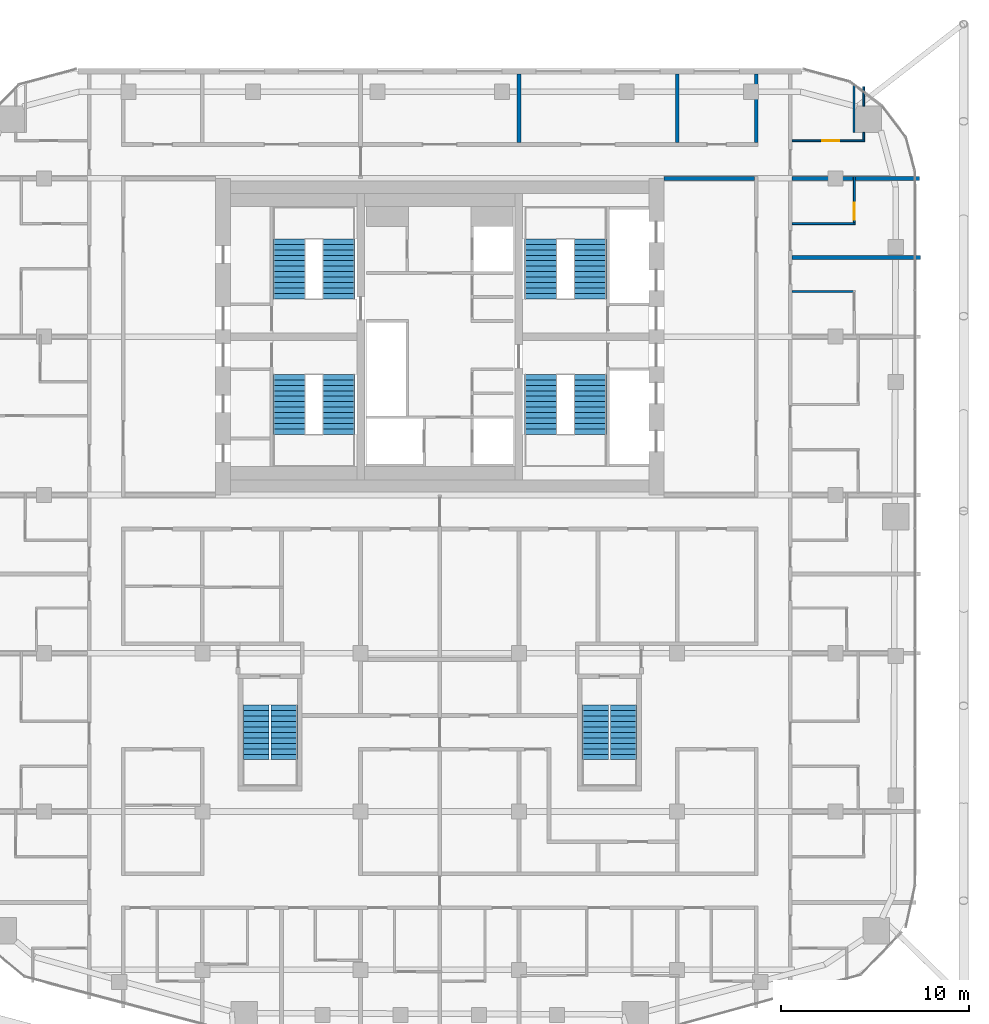
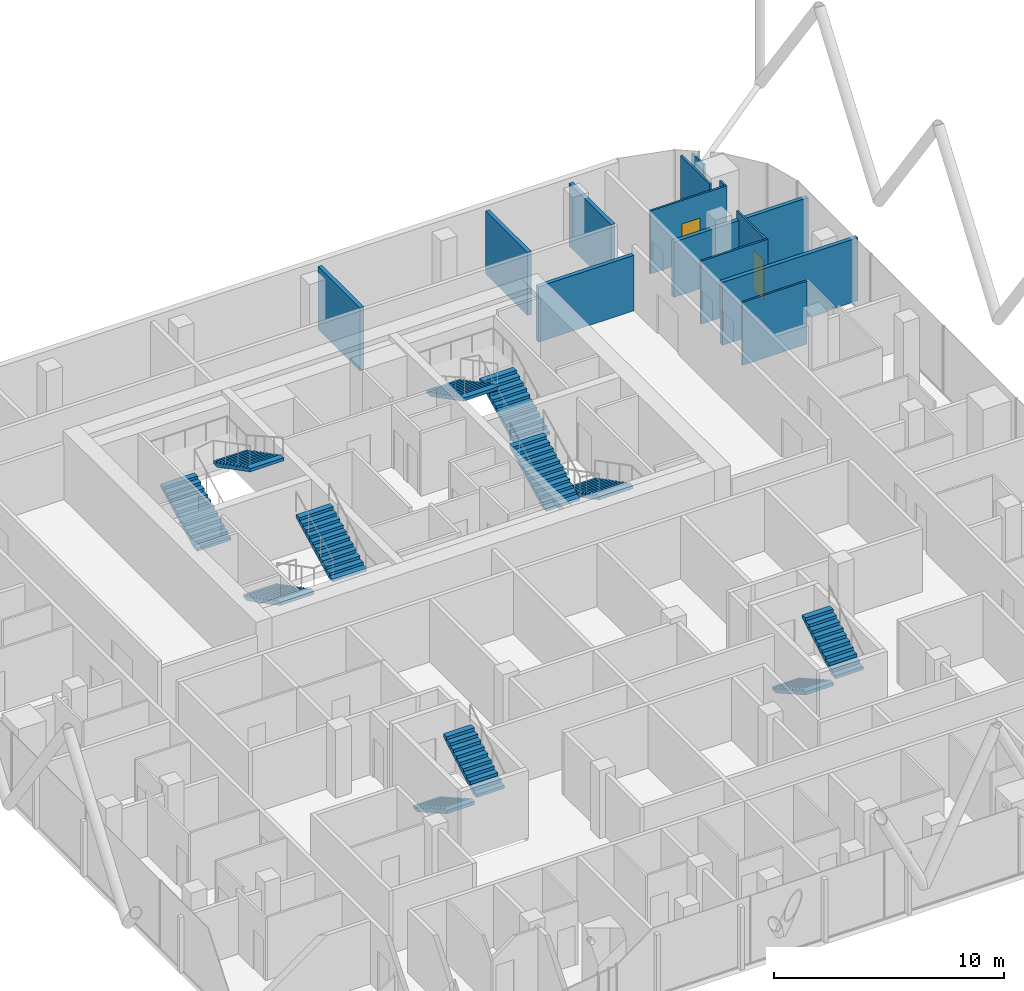
# One storey, part 27 of 28: 13 walls, 12 stair flights, 2 doors, 2 openings, 6 elements without a shape of their own.
"""IFC4 building model written with IfcOpenShell, lengths in metres."""

from ifc_helpers import new_model, si_unit, direction, frame, frame_2d, origin, place, context, subcontext, project, spatial, polyline, rectangle, outline, extrude, material, layer, layer_set, type_object, element, fill, aggregate, save


model = new_model("IFC4")

# Units and contexts
model_context = context("Model", 3, precision=1e-05, world=origin(), true_north=direction((0.0, 1.0)))
body_context = subcontext(model_context, "Body", "Model", "MODEL_VIEW")
ifc_project = project(units=[si_unit("LENGTHUNIT", "METRE"), si_unit("AREAUNIT", "SQUARE_METRE"), si_unit("VOLUMEUNIT", "CUBIC_METRE"), si_unit("PLANEANGLEUNIT", "RADIAN"), si_unit("MASSUNIT", "GRAM", prefix="KILO")], contexts=[model_context])

# Site, building, storey
site_placement = place(None, origin())
site = spatial("IfcSite", under=ifc_project, at=site_placement, CompositionType="ELEMENT")
building_placement = place(site_placement, origin())
building = spatial("IfcBuilding", under=site, at=building_placement, Name="Marenta Gate Hotel Tower", CompositionType="ELEMENT")
storey_placement = place(building_placement, frame((0.0, 0.0, 212.89990234375)))
storey = spatial("IfcBuildingStorey", under=building, at=storey_placement, Name="L49", CompositionType="ELEMENT", Elevation=212.89990234375)

# Walls
ifc_material_1 = material(Name="Concrete blockwork", Category="masonry")
ifc_layer_1 = layer(ifc_material_1, 0.199951171875)
ifc_layer_set_1 = layer_set([ifc_layer_1], Name="Concrete blockwork")
wall_type_1 = type_object("IfcWallType", Name="Core boundary wall 200 REI 180", PredefinedType="PARTITIONING", material=ifc_layer_set_1)
wall_1_placement = place(storey_placement, frame((11.89990234375, 16.800048828125, 0.0), z_axis=(0.0, 0.0, 1.0), x_axis=(1.0, 0.0, 0.0)))
element("IfcWall", 1, at=wall_1_placement, inside=storey, type_object=wall_type_1, Name="L49-CP-EW-EN", PredefinedType="PARTITIONING", context=body_context, shape_type="SweptSolid", body=[
    extrude(rectangle(XDim=4.800048828125, YDim=0.199951171875, at=frame_2d((2.39990234375, 0.0))), origin(), (0.0, 0.0, 1.0), 2.940185546875),
])
ifc_material_2 = material(Name="Gypsum board on steel stud", Category="steel")
ifc_layer_2 = layer(ifc_material_2, 0.199951171875)
ifc_layer_set_2 = layer_set([ifc_layer_2], Name="Gypsum board on steel stud")
wall_type_2 = type_object("IfcWallType", Name="Room corridor wall 200 EI 60", PredefinedType="PARTITIONING", material=ifc_layer_set_2)
wall_2_placement = place(storey_placement, frame((16.800048828125, 18.699951171875, 0.0), z_axis=(0.0, 0.0, 1.0), x_axis=(0.0, 1.0, 0.0)))
element("IfcWall", 2, at=wall_2_placement, inside=storey, type_object=wall_type_2, Name="L49-PTN-W034", PredefinedType="PARTITIONING", context=body_context, shape_type="SweptSolid", body=[
    extrude(rectangle(XDim=3.64013671875, YDim=0.199951171875, at=frame_2d((1.820068359375, 0.0))), origin(), (0.0, 0.0, 1.0), 3.340087890625),
])
ifc_material_3 = material(Name="Gypsum board on steel stud", Category="steel")
ifc_layer_3 = layer(ifc_material_3, 0.10009765625)
ifc_layer_set_3 = layer_set([ifc_layer_3], Name="Gypsum board on steel stud")
wall_type_3 = type_object("IfcWallType", Name="Room partition 100", PredefinedType="PARTITIONING", material=ifc_layer_set_3)
wall_3_placement = place(storey_placement, frame((22.5, 18.85009765625, 0.0), z_axis=(0.0, 0.0, 1.0), x_axis=(0.0, 1.0, 0.0)))
element("IfcWall", 3, at=wall_3_placement, inside=storey, type_object=wall_type_3, Name="L49-PTN-W012", PredefinedType="PARTITIONING", context=body_context, shape_type="SweptSolid", body=[
    extrude(rectangle(XDim=0.385986328125, YDim=0.10009765625, at=frame_2d((0.19287109375, 0.0))), origin(), (0.0, 0.0, 1.0), 3.340087890625),
])
wall_4_placement = place(storey_placement, frame((22.5, 20.635986328125, 0.0), z_axis=(0.0, 0.0, 1.0), x_axis=(0.0, 1.0, 0.0)))
element("IfcWall", 4, at=wall_4_placement, inside=storey, type_object=wall_type_3, Name="L49-PTN-W132", PredefinedType="PARTITIONING", context=body_context, shape_type="SweptSolid", body=[
    extrude(rectangle(XDim=1.030029296875, YDim=0.10009765625, at=frame_2d((0.51513671875, 0.0))), origin(), (0.0, 0.0, 1.0), 3.340087890625),
])

# Wall, opening, door
wall_5_placement = place(storey_placement, frame((22.0, 14.449951171875, 0.0), z_axis=(0.0, 0.0, 1.0), x_axis=(0.0, 1.0, 0.0)))
wall_5 = element("IfcWall", 5, at=wall_5_placement, inside=storey, type_object=wall_type_3, Name="L49-PTN-W018", PredefinedType="PARTITIONING", context=body_context, shape_type="SweptSolid", body=[
    extrude(rectangle(XDim=2.449951171875, YDim=0.10009765625, at=frame_2d((1.22509765625, 0.0))), origin(), (0.0, 0.0, 1.0), 3.340087890625),
])
opening_1_placement = place(wall_5_placement, frame((0.14990234375, 0.0, 0.0)))
opening_1 = element("IfcOpeningElement", 6, at=opening_1_placement, cuts=wall_5, Name="Opening G17-33", PredefinedType="OPENING", context=body_context, shape_type="SweptSolid", body=[
    extrude(rectangle(XDim=0.89990234375, YDim=2.10009765625, at=frame_2d((0.449951171875, 1.050048828125))), frame((0.0, 0.050048828125, 0.0), z_axis=(0.0, -1.0, 0.0), x_axis=(1.0, 0.0, 0.0)), (0.0, 0.0, 1.0), 0.10009765625),
])
ifc_material_4 = material(Name="Timber door leaf", Category="wood")
door_type = type_object("IfcDoorType", Name="Guest bathroom door 900x2100", OperationType="NOTDEFINED", PredefinedType="DOOR", material=ifc_material_4)
door_1_placement = place(opening_1_placement, origin())
door_1 = element("IfcDoor", 7, at=door_1_placement, inside=storey, type_object=door_type, Name="L49-PD-D033", OperationType="SINGLE_SWING_LEFT", OverallHeight=2.10009765625, OverallWidth=0.89990234375, PredefinedType="DOOR", context=body_context, shape_type="SweptSolid", body=[
    extrude(rectangle(XDim=0.89990234375, YDim=2.10009765625, at=frame_2d((0.449951171875, 1.050048828125))), frame((0.0, 0.02490234375, 0.0), z_axis=(0.0, -1.0, 0.0), x_axis=(1.0, 0.0, 0.0)), (0.0, 0.0, 1.0), 0.050048828125),
])
fill(opening_1, door_1)

# Walls
wall_6_placement = place(storey_placement, frame((18.699951171875, 10.800048828125, 0.0), z_axis=(0.0, 0.0, 1.0), x_axis=(1.0, 0.0, 0.0)))
element("IfcWall", 8, at=wall_6_placement, inside=storey, type_object=wall_type_3, Name="L49-PTN-W102", PredefinedType="PARTITIONING", context=body_context, shape_type="SweptSolid", body=[
    extrude(rectangle(XDim=3.25, YDim=0.10009765625, at=frame_2d((1.625, 0.0))), origin(), (0.0, 0.0, 1.0), 3.340087890625),
])
wall_7_placement = place(storey_placement, frame((18.699951171875, 14.39990234375, 0.0), z_axis=(0.0, 0.0, 1.0), x_axis=(1.0, 0.0, 0.0)))
element("IfcWall", 9, at=wall_7_placement, inside=storey, type_object=wall_type_3, Name="L49-PTN-W110", PredefinedType="PARTITIONING", context=body_context, shape_type="SweptSolid", body=[
    extrude(rectangle(XDim=3.35009765625, YDim=0.10009765625, at=frame_2d((1.675048828125, 0.0))), origin(), (0.0, 0.0, 1.0), 3.340087890625),
])

# Wall, opening, door
wall_8_placement = place(storey_placement, frame((18.699951171875, 18.800048828125, 0.0), z_axis=(0.0, 0.0, 1.0), x_axis=(1.0, 0.0, 0.0)))
wall_8 = element("IfcWall", 10, at=wall_8_placement, inside=storey, type_object=wall_type_3, Name="L49-PTN-W121", PredefinedType="PARTITIONING", context=body_context, shape_type="SweptSolid", body=[
    extrude(rectangle(XDim=3.85009765625, YDim=0.10009765625, at=frame_2d((1.925048828125, 0.0))), origin(), (0.0, 0.0, 1.0), 3.340087890625),
])
opening_2_placement = place(wall_8_placement, frame((1.594970703125, 0.0, 0.0)))
opening_2 = element("IfcOpeningElement", 11, at=opening_2_placement, cuts=wall_8, Name="Opening G17-35", PredefinedType="OPENING", context=body_context, shape_type="SweptSolid", body=[
    extrude(rectangle(XDim=0.89990234375, YDim=2.10009765625, at=frame_2d((0.449951171875, 1.050048828125))), frame((0.0, 0.050048828125, 0.0), z_axis=(0.0, -1.0, 0.0), x_axis=(1.0, 0.0, 0.0)), (0.0, 0.0, 1.0), 0.10009765625),
])
door_2_placement = place(opening_2_placement, origin())
door_2 = element("IfcDoor", 12, at=door_2_placement, inside=storey, type_object=door_type, Name="L49-PD-D035", OperationType="SINGLE_SWING_RIGHT", OverallHeight=2.10009765625, OverallWidth=0.89990234375, PredefinedType="DOOR", context=body_context, shape_type="SweptSolid", body=[
    extrude(rectangle(XDim=0.89990234375, YDim=2.10009765625, at=frame_2d((0.449951171875, 1.050048828125))), frame((0.0, 0.02490234375, 0.0), z_axis=(0.0, -1.0, 0.0), x_axis=(1.0, 0.0, 0.0)), (0.0, 0.0, 1.0), 0.050048828125),
])
fill(opening_2, door_2)

# Walls
wall_9_placement = place(storey_placement, frame((21.985107421875, 19.236083984375, 0.0), z_axis=(0.0, 0.0, 1.0), x_axis=(0.0, 1.0, 0.0)))
element("IfcWall", 13, at=wall_9_placement, inside=storey, type_object=wall_type_3, Name="L49-PTN-W134", PredefinedType="PARTITIONING", context=body_context, shape_type="SweptSolid", body=[
    extrude(rectangle(XDim=2.512939453125, YDim=0.10009765625, at=frame_2d((1.25634765625, 0.0))), origin(), (0.0, 0.0, 1.0), 3.340087890625),
])
ifc_material_5 = material(Name="Gypsum board on steel stud", Category="steel")
ifc_layer_4 = layer(ifc_material_5, 0.199951171875)
ifc_layer_set_4 = layer_set([ifc_layer_4], Name="Gypsum board on steel stud")
wall_type_4 = type_object("IfcWallType", Name="Room party wall 200 EI 60", PredefinedType="PARTITIONING", material=ifc_layer_set_4)
for number, where, z_axis, x_axis, name in (
    (14, (12.60009765625, 18.699951171875, 0.0), (0.0, 0.0, 1.0), (0.0, 1.0, 0.0), "L49-PTN-W047"),
    (15, (4.199951171875, 18.699951171875, 0.0), (0.0, 0.0, 1.0), (0.0, 1.0, 0.0), "L49-PTN-W073"),
):
    element("IfcWall", number, at=place(storey_placement, frame(where, z_axis=z_axis, x_axis=x_axis)), inside=storey, type_object=wall_type_4, Name=name, PredefinedType="PARTITIONING", context=body_context, shape_type="SweptSolid", body=[
        extrude(rectangle(XDim=3.64013671875, YDim=0.199951171875, at=frame_2d((1.820068359375, 0.0))), origin(), (0.0, 0.0, 1.0), 3.340087890625),
    ])
wall_10_placement = place(storey_placement, frame((18.699951171875, 12.60009765625, 0.0), z_axis=(0.0, 0.0, 1.0), x_axis=(1.0, 0.0, 0.0)))
element("IfcWall", 16, at=wall_10_placement, inside=storey, type_object=wall_type_4, Name="L49-PTN-W108", PredefinedType="PARTITIONING", context=body_context, shape_type="SweptSolid", body=[
    extrude(rectangle(XDim=6.800048828125, YDim=0.199951171875, at=frame_2d((3.39990234375, 0.0))), origin(), (0.0, 0.0, 1.0), 3.340087890625),
])
wall_11_placement = place(storey_placement, frame((18.699951171875, 16.800048828125, 0.0), z_axis=(0.0, 0.0, 1.0), x_axis=(1.0, 0.0, 0.0)))
element("IfcWall", 17, at=wall_11_placement, inside=storey, type_object=wall_type_4, Name="L49-PTN-W117", PredefinedType="PARTITIONING", context=body_context, shape_type="SweptSolid", body=[
    extrude(rectangle(XDim=6.7470703125, YDim=0.199951171875, at=frame_2d((3.37353515625, 0.0))), origin(), (0.0, 0.0, 1.0), 2.940185546875),
])

# Stair, stair flights
ifc_material_6 = material(Name="Concrete C40", Category="concrete")
stair_type_1 = type_object("IfcStairType", Name="Core exit stair 1700 wide", PredefinedType="HALF_TURN_STAIR", material=ifc_material_6)
stair_1_placement = place(storey_placement, origin())
stair_1 = element("IfcStair", 18, at=stair_1_placement, inside=storey, type_object=stair_type_1, Name="Exit stair 1", PredefinedType="HALF_TURN_STAIR")
ifc_material_7 = material(Name="Concrete C40", Category="concrete")
stair_flight_type_1 = type_object("IfcStairFlightType", Name="Core stair flight 1700 riser 150.0 going 290", PredefinedType="STRAIGHT", material=ifc_material_7)
stair_flight_1_placement = place(storey_placement, frame((-8.0, 6.39990234375, 0.0), z_axis=(0.0, 0.0, 1.0), x_axis=(0.0, -1.0, 0.0)))
stair_flight_1 = element("IfcStairFlight", 19, at=stair_flight_1_placement, type_object=stair_flight_type_1, Name="ST1 flight 1", NumberOfRisers=12, NumberOfTreads=11, PredefinedType="STRAIGHT", RiserHeight=0.15, TreadLength=0.29, context=body_context, shape_type="SweptSolid", body=[
    extrude(outline(polyline([(0.0, 0.0), (0.0, 0.14990234375), (0.2900390625, 0.14990234375), (0.2900390625, 0.300048828125), (0.580078125, 0.300048828125), (0.580078125, 0.449951171875), (0.8701171875, 0.449951171875), (0.8701171875, 0.60009765625), (1.159912109375, 0.60009765625), (1.159912109375, 0.75), (1.449951171875, 0.75), (1.449951171875, 0.89990234375), (1.739990234375, 0.89990234375), (1.739990234375, 1.050048828125), (2.030029296875, 1.050048828125), (2.030029296875, 1.199951171875), (2.320068359375, 1.199951171875), (2.320068359375, 1.35009765625), (2.610107421875, 1.35009765625), (2.610107421875, 1.5), (2.89990234375, 1.5), (2.89990234375, 1.64990234375), (3.18994140625, 1.64990234375), (3.18994140625, 1.800048828125), (3.18994140625, 1.481201171875), (0.326171875, 0.0), (0.0, 0.0)])), frame((0.0, 0.85009765625, 0.0), z_axis=(0.0, -1.0, 0.0), x_axis=(1.0, 0.0, 0.0)), (0.0, 0.0, 1.0), 1.699951171875),
])
stair_flight_2_placement = place(storey_placement, frame((-5.35009765625, 3.2099609375, 1.800048828125), z_axis=(0.0, 0.0, 1.0), x_axis=(0.0, 1.0, 0.0)))
stair_flight_2 = element("IfcStairFlight", 20, at=stair_flight_2_placement, type_object=stair_flight_type_1, Name="ST1 flight 2", NumberOfRisers=12, NumberOfTreads=11, PredefinedType="STRAIGHT", RiserHeight=0.15, TreadLength=0.29, context=body_context, shape_type="SweptSolid", body=[
    extrude(outline(polyline([(0.0, 0.0), (0.0, 0.14990234375), (0.2900390625, 0.14990234375), (0.2900390625, 0.300048828125), (0.580078125, 0.300048828125), (0.580078125, 0.449951171875), (0.8701171875, 0.449951171875), (0.8701171875, 0.60009765625), (1.159912109375, 0.60009765625), (1.159912109375, 0.75), (1.449951171875, 0.75), (1.449951171875, 0.89990234375), (1.739990234375, 0.89990234375), (1.739990234375, 1.050048828125), (2.030029296875, 1.050048828125), (2.030029296875, 1.199951171875), (2.320068359375, 1.199951171875), (2.320068359375, 1.35009765625), (2.610107421875, 1.35009765625), (2.610107421875, 1.5), (2.89990234375, 1.5), (2.89990234375, 1.64990234375), (3.18994140625, 1.64990234375), (3.18994140625, 1.800048828125), (3.18994140625, 1.481201171875), (0.326171875, 0.0), (0.0, 0.0)])), frame((0.0, 0.85009765625, 0.0), z_axis=(0.0, -1.0, 0.0), x_axis=(1.0, 0.0, 0.0)), (0.0, 0.0, 1.0), 1.699951171875),
])
aggregate(stair_1, [stair_flight_1, stair_flight_2])

stair_2_placement = place(storey_placement, origin())
stair_2 = element("IfcStair", 21, at=stair_2_placement, inside=storey, type_object=stair_type_1, Name="Exit stair 2", PredefinedType="HALF_TURN_STAIR")
stair_flight_3_placement = place(storey_placement, frame((-8.0, 10.39990234375, 0.0), z_axis=(0.0, 0.0, 1.0), x_axis=(0.0, 1.0, 0.0)))
stair_flight_3 = element("IfcStairFlight", 22, at=stair_flight_3_placement, type_object=stair_flight_type_1, Name="ST2 flight 1", NumberOfRisers=12, NumberOfTreads=11, PredefinedType="STRAIGHT", RiserHeight=0.15, TreadLength=0.29, context=body_context, shape_type="SweptSolid", body=[
    extrude(outline(polyline([(0.0, 0.0), (0.0, 0.14990234375), (0.2900390625, 0.14990234375), (0.2900390625, 0.300048828125), (0.580078125, 0.300048828125), (0.580078125, 0.449951171875), (0.8701171875, 0.449951171875), (0.8701171875, 0.60009765625), (1.159912109375, 0.60009765625), (1.159912109375, 0.75), (1.449951171875, 0.75), (1.449951171875, 0.89990234375), (1.739990234375, 0.89990234375), (1.739990234375, 1.050048828125), (2.030029296875, 1.050048828125), (2.030029296875, 1.199951171875), (2.320068359375, 1.199951171875), (2.320068359375, 1.35009765625), (2.610107421875, 1.35009765625), (2.610107421875, 1.5), (2.89990234375, 1.5), (2.89990234375, 1.64990234375), (3.18994140625, 1.64990234375), (3.18994140625, 1.800048828125), (3.18994140625, 1.481201171875), (0.326171875, 0.0), (0.0, 0.0)])), frame((0.0, 0.85009765625, 0.0), z_axis=(0.0, -1.0, 0.0), x_axis=(1.0, 0.0, 0.0)), (0.0, 0.0, 1.0), 1.699951171875),
])
stair_flight_4_placement = place(storey_placement, frame((-5.35009765625, 13.590087890625, 1.800048828125), z_axis=(0.0, 0.0, 1.0), x_axis=(0.0, -1.0, 0.0)))
stair_flight_4 = element("IfcStairFlight", 23, at=stair_flight_4_placement, type_object=stair_flight_type_1, Name="ST2 flight 2", NumberOfRisers=12, NumberOfTreads=11, PredefinedType="STRAIGHT", RiserHeight=0.15, TreadLength=0.29, context=body_context, shape_type="SweptSolid", body=[
    extrude(outline(polyline([(0.0, 0.0), (0.0, 0.14990234375), (0.2900390625, 0.14990234375), (0.2900390625, 0.300048828125), (0.580078125, 0.300048828125), (0.580078125, 0.449951171875), (0.8701171875, 0.449951171875), (0.8701171875, 0.60009765625), (1.159912109375, 0.60009765625), (1.159912109375, 0.75), (1.449951171875, 0.75), (1.449951171875, 0.89990234375), (1.739990234375, 0.89990234375), (1.739990234375, 1.050048828125), (2.030029296875, 1.050048828125), (2.030029296875, 1.199951171875), (2.320068359375, 1.199951171875), (2.320068359375, 1.35009765625), (2.610107421875, 1.35009765625), (2.610107421875, 1.5), (2.89990234375, 1.5), (2.89990234375, 1.64990234375), (3.18994140625, 1.64990234375), (3.18994140625, 1.800048828125), (3.18994140625, 1.481201171875), (0.326171875, 0.0), (0.0, 0.0)])), frame((0.0, 0.85009765625, 0.0), z_axis=(0.0, -1.0, 0.0), x_axis=(1.0, 0.0, 0.0)), (0.0, 0.0, 1.0), 1.699951171875),
])
aggregate(stair_2, [stair_flight_3, stair_flight_4])

stair_3_placement = place(storey_placement, origin())
stair_3 = element("IfcStair", 24, at=stair_3_placement, inside=storey, type_object=stair_type_1, Name="Exit stair 3", PredefinedType="HALF_TURN_STAIR")
stair_flight_5_placement = place(storey_placement, frame((8.0, 6.39990234375, 0.0), z_axis=(0.0, 0.0, 1.0), x_axis=(0.0, -1.0, 0.0)))
stair_flight_5 = element("IfcStairFlight", 25, at=stair_flight_5_placement, type_object=stair_flight_type_1, Name="ST3 flight 1", NumberOfRisers=12, NumberOfTreads=11, PredefinedType="STRAIGHT", RiserHeight=0.15, TreadLength=0.29, context=body_context, shape_type="SweptSolid", body=[
    extrude(outline(polyline([(0.0, 0.0), (0.0, 0.14990234375), (0.2900390625, 0.14990234375), (0.2900390625, 0.300048828125), (0.580078125, 0.300048828125), (0.580078125, 0.449951171875), (0.8701171875, 0.449951171875), (0.8701171875, 0.60009765625), (1.159912109375, 0.60009765625), (1.159912109375, 0.75), (1.449951171875, 0.75), (1.449951171875, 0.89990234375), (1.739990234375, 0.89990234375), (1.739990234375, 1.050048828125), (2.030029296875, 1.050048828125), (2.030029296875, 1.199951171875), (2.320068359375, 1.199951171875), (2.320068359375, 1.35009765625), (2.610107421875, 1.35009765625), (2.610107421875, 1.5), (2.89990234375, 1.5), (2.89990234375, 1.64990234375), (3.18994140625, 1.64990234375), (3.18994140625, 1.800048828125), (3.18994140625, 1.481201171875), (0.326171875, 0.0), (0.0, 0.0)])), frame((0.0, 0.85009765625, 0.0), z_axis=(0.0, -1.0, 0.0), x_axis=(1.0, 0.0, 0.0)), (0.0, 0.0, 1.0), 1.699951171875),
])
stair_flight_6_placement = place(storey_placement, frame((5.35009765625, 3.2099609375, 1.800048828125), z_axis=(0.0, 0.0, 1.0), x_axis=(0.0, 1.0, 0.0)))
stair_flight_6 = element("IfcStairFlight", 26, at=stair_flight_6_placement, type_object=stair_flight_type_1, Name="ST3 flight 2", NumberOfRisers=12, NumberOfTreads=11, PredefinedType="STRAIGHT", RiserHeight=0.15, TreadLength=0.29, context=body_context, shape_type="SweptSolid", body=[
    extrude(outline(polyline([(0.0, 0.0), (0.0, 0.14990234375), (0.2900390625, 0.14990234375), (0.2900390625, 0.300048828125), (0.580078125, 0.300048828125), (0.580078125, 0.449951171875), (0.8701171875, 0.449951171875), (0.8701171875, 0.60009765625), (1.159912109375, 0.60009765625), (1.159912109375, 0.75), (1.449951171875, 0.75), (1.449951171875, 0.89990234375), (1.739990234375, 0.89990234375), (1.739990234375, 1.050048828125), (2.030029296875, 1.050048828125), (2.030029296875, 1.199951171875), (2.320068359375, 1.199951171875), (2.320068359375, 1.35009765625), (2.610107421875, 1.35009765625), (2.610107421875, 1.5), (2.89990234375, 1.5), (2.89990234375, 1.64990234375), (3.18994140625, 1.64990234375), (3.18994140625, 1.800048828125), (3.18994140625, 1.481201171875), (0.326171875, 0.0), (0.0, 0.0)])), frame((0.0, 0.85009765625, 0.0), z_axis=(0.0, -1.0, 0.0), x_axis=(1.0, 0.0, 0.0)), (0.0, 0.0, 1.0), 1.699951171875),
])
aggregate(stair_3, [stair_flight_5, stair_flight_6])

stair_4_placement = place(storey_placement, origin())
stair_4 = element("IfcStair", 27, at=stair_4_placement, inside=storey, type_object=stair_type_1, Name="Exit stair 4", PredefinedType="HALF_TURN_STAIR")
stair_flight_7_placement = place(storey_placement, frame((8.0, 10.39990234375, 0.0), z_axis=(0.0, 0.0, 1.0), x_axis=(0.0, 1.0, 0.0)))
stair_flight_7 = element("IfcStairFlight", 28, at=stair_flight_7_placement, type_object=stair_flight_type_1, Name="ST4 flight 1", NumberOfRisers=12, NumberOfTreads=11, PredefinedType="STRAIGHT", RiserHeight=0.15, TreadLength=0.29, context=body_context, shape_type="SweptSolid", body=[
    extrude(outline(polyline([(0.0, 0.0), (0.0, 0.14990234375), (0.2900390625, 0.14990234375), (0.2900390625, 0.300048828125), (0.580078125, 0.300048828125), (0.580078125, 0.449951171875), (0.8701171875, 0.449951171875), (0.8701171875, 0.60009765625), (1.159912109375, 0.60009765625), (1.159912109375, 0.75), (1.449951171875, 0.75), (1.449951171875, 0.89990234375), (1.739990234375, 0.89990234375), (1.739990234375, 1.050048828125), (2.030029296875, 1.050048828125), (2.030029296875, 1.199951171875), (2.320068359375, 1.199951171875), (2.320068359375, 1.35009765625), (2.610107421875, 1.35009765625), (2.610107421875, 1.5), (2.89990234375, 1.5), (2.89990234375, 1.64990234375), (3.18994140625, 1.64990234375), (3.18994140625, 1.800048828125), (3.18994140625, 1.481201171875), (0.326171875, 0.0), (0.0, 0.0)])), frame((0.0, 0.85009765625, 0.0), z_axis=(0.0, -1.0, 0.0), x_axis=(1.0, 0.0, 0.0)), (0.0, 0.0, 1.0), 1.699951171875),
])
stair_flight_8_placement = place(storey_placement, frame((5.35009765625, 13.590087890625, 1.800048828125), z_axis=(0.0, 0.0, 1.0), x_axis=(0.0, -1.0, 0.0)))
stair_flight_8 = element("IfcStairFlight", 29, at=stair_flight_8_placement, type_object=stair_flight_type_1, Name="ST4 flight 2", NumberOfRisers=12, NumberOfTreads=11, PredefinedType="STRAIGHT", RiserHeight=0.15, TreadLength=0.29, context=body_context, shape_type="SweptSolid", body=[
    extrude(outline(polyline([(0.0, 0.0), (0.0, 0.14990234375), (0.2900390625, 0.14990234375), (0.2900390625, 0.300048828125), (0.580078125, 0.300048828125), (0.580078125, 0.449951171875), (0.8701171875, 0.449951171875), (0.8701171875, 0.60009765625), (1.159912109375, 0.60009765625), (1.159912109375, 0.75), (1.449951171875, 0.75), (1.449951171875, 0.89990234375), (1.739990234375, 0.89990234375), (1.739990234375, 1.050048828125), (2.030029296875, 1.050048828125), (2.030029296875, 1.199951171875), (2.320068359375, 1.199951171875), (2.320068359375, 1.35009765625), (2.610107421875, 1.35009765625), (2.610107421875, 1.5), (2.89990234375, 1.5), (2.89990234375, 1.64990234375), (3.18994140625, 1.64990234375), (3.18994140625, 1.800048828125), (3.18994140625, 1.481201171875), (0.326171875, 0.0), (0.0, 0.0)])), frame((0.0, 0.85009765625, 0.0), z_axis=(0.0, -1.0, 0.0), x_axis=(1.0, 0.0, 0.0)), (0.0, 0.0, 1.0), 1.699951171875),
])
aggregate(stair_4, [stair_flight_7, stair_flight_8])

ifc_material_8 = material(Name="Concrete C40", Category="concrete")
stair_type_2 = type_object("IfcStairType", Name="Remote exit stair 1400 wide", PredefinedType="HALF_TURN_STAIR", material=ifc_material_8)
stair_5_placement = place(storey_placement, origin())
stair_5 = element("IfcStair", 30, at=stair_5_placement, inside=storey, type_object=stair_type_2, Name="Exit stair RS-Z3-1", PredefinedType="HALF_TURN_STAIR")
ifc_material_9 = material(Name="Concrete C40", Category="concrete")
stair_flight_type_2 = type_object("IfcStairFlightType", Name="Remote stair flight 1400 riser 163.6 going 290", PredefinedType="STRAIGHT", material=ifc_material_9)
stair_flight_9_placement = place(storey_placement, frame((-9.75, -11.14990234375, 0.0), z_axis=(0.0, 0.0, 1.0), x_axis=(0.0, -1.0, 0.0)))
stair_flight_9 = element("IfcStairFlight", 31, at=stair_flight_9_placement, type_object=stair_flight_type_2, Name="RS-Z3-1 flight 1", NumberOfRisers=11, NumberOfTreads=10, PredefinedType="STRAIGHT", RiserHeight=0.163636, TreadLength=0.29, context=body_context, shape_type="SweptSolid", body=[
    extrude(outline(polyline([(0.0, 0.0), (0.0, 0.16357421875), (0.2900390625, 0.16357421875), (0.2900390625, 0.327392578125), (0.580078125, 0.327392578125), (0.580078125, 0.490966796875), (0.8701171875, 0.490966796875), (0.8701171875, 0.654541015625), (1.159912109375, 0.654541015625), (1.159912109375, 0.818115234375), (1.449951171875, 0.818115234375), (1.449951171875, 0.98193359375), (1.739990234375, 0.98193359375), (1.739990234375, 1.1455078125), (2.030029296875, 1.1455078125), (2.030029296875, 1.30908203125), (2.320068359375, 1.30908203125), (2.320068359375, 1.47265625), (2.610107421875, 1.47265625), (2.610107421875, 1.636474609375), (2.89990234375, 1.636474609375), (2.89990234375, 1.800048828125), (2.89990234375, 1.46435546875), (0.304931640625, 0.0), (0.0, 0.0)])), frame((0.0, 0.699951171875, 0.0), z_axis=(0.0, -1.0, 0.0), x_axis=(1.0, 0.0, 0.0)), (0.0, 0.0, 1.0), 1.39990234375),
])
stair_flight_10_placement = place(storey_placement, frame((-8.25, -14.050048828125, 1.800048828125), z_axis=(0.0, 0.0, 1.0), x_axis=(0.0, 1.0, 0.0)))
stair_flight_10 = element("IfcStairFlight", 32, at=stair_flight_10_placement, type_object=stair_flight_type_2, Name="RS-Z3-1 flight 2", NumberOfRisers=11, NumberOfTreads=10, PredefinedType="STRAIGHT", RiserHeight=0.163636, TreadLength=0.29, context=body_context, shape_type="SweptSolid", body=[
    extrude(outline(polyline([(0.0, 0.0), (0.0, 0.16357421875), (0.2900390625, 0.16357421875), (0.2900390625, 0.327392578125), (0.580078125, 0.327392578125), (0.580078125, 0.490966796875), (0.8701171875, 0.490966796875), (0.8701171875, 0.654541015625), (1.159912109375, 0.654541015625), (1.159912109375, 0.818115234375), (1.449951171875, 0.818115234375), (1.449951171875, 0.98193359375), (1.739990234375, 0.98193359375), (1.739990234375, 1.1455078125), (2.030029296875, 1.1455078125), (2.030029296875, 1.30908203125), (2.320068359375, 1.30908203125), (2.320068359375, 1.47265625), (2.610107421875, 1.47265625), (2.610107421875, 1.636474609375), (2.89990234375, 1.636474609375), (2.89990234375, 1.800048828125), (2.89990234375, 1.46435546875), (0.304931640625, 0.0), (0.0, 0.0)])), frame((0.0, 0.699951171875, 0.0), z_axis=(0.0, -1.0, 0.0), x_axis=(1.0, 0.0, 0.0)), (0.0, 0.0, 1.0), 1.39990234375),
])
aggregate(stair_5, [stair_flight_9, stair_flight_10])

stair_6_placement = place(storey_placement, origin())
stair_6 = element("IfcStair", 33, at=stair_6_placement, inside=storey, type_object=stair_type_2, Name="Exit stair RS-Z3-2", PredefinedType="HALF_TURN_STAIR")
stair_flight_11_placement = place(storey_placement, frame((8.25, -11.14990234375, 0.0), z_axis=(0.0, 0.0, 1.0), x_axis=(0.0, -1.0, 0.0)))
stair_flight_11 = element("IfcStairFlight", 34, at=stair_flight_11_placement, type_object=stair_flight_type_2, Name="RS-Z3-2 flight 1", NumberOfRisers=11, NumberOfTreads=10, PredefinedType="STRAIGHT", RiserHeight=0.163636, TreadLength=0.29, context=body_context, shape_type="SweptSolid", body=[
    extrude(outline(polyline([(0.0, 0.0), (0.0, 0.16357421875), (0.2900390625, 0.16357421875), (0.2900390625, 0.327392578125), (0.580078125, 0.327392578125), (0.580078125, 0.490966796875), (0.8701171875, 0.490966796875), (0.8701171875, 0.654541015625), (1.159912109375, 0.654541015625), (1.159912109375, 0.818115234375), (1.449951171875, 0.818115234375), (1.449951171875, 0.98193359375), (1.739990234375, 0.98193359375), (1.739990234375, 1.1455078125), (2.030029296875, 1.1455078125), (2.030029296875, 1.30908203125), (2.320068359375, 1.30908203125), (2.320068359375, 1.47265625), (2.610107421875, 1.47265625), (2.610107421875, 1.636474609375), (2.89990234375, 1.636474609375), (2.89990234375, 1.800048828125), (2.89990234375, 1.46435546875), (0.304931640625, 0.0), (0.0, 0.0)])), frame((0.0, 0.699951171875, 0.0), z_axis=(0.0, -1.0, 0.0), x_axis=(1.0, 0.0, 0.0)), (0.0, 0.0, 1.0), 1.39990234375),
])
stair_flight_12_placement = place(storey_placement, frame((9.75, -14.050048828125, 1.800048828125), z_axis=(0.0, 0.0, 1.0), x_axis=(0.0, 1.0, 0.0)))
stair_flight_12 = element("IfcStairFlight", 35, at=stair_flight_12_placement, type_object=stair_flight_type_2, Name="RS-Z3-2 flight 2", NumberOfRisers=11, NumberOfTreads=10, PredefinedType="STRAIGHT", RiserHeight=0.163636, TreadLength=0.29, context=body_context, shape_type="SweptSolid", body=[
    extrude(outline(polyline([(0.0, 0.0), (0.0, 0.16357421875), (0.2900390625, 0.16357421875), (0.2900390625, 0.327392578125), (0.580078125, 0.327392578125), (0.580078125, 0.490966796875), (0.8701171875, 0.490966796875), (0.8701171875, 0.654541015625), (1.159912109375, 0.654541015625), (1.159912109375, 0.818115234375), (1.449951171875, 0.818115234375), (1.449951171875, 0.98193359375), (1.739990234375, 0.98193359375), (1.739990234375, 1.1455078125), (2.030029296875, 1.1455078125), (2.030029296875, 1.30908203125), (2.320068359375, 1.30908203125), (2.320068359375, 1.47265625), (2.610107421875, 1.47265625), (2.610107421875, 1.636474609375), (2.89990234375, 1.636474609375), (2.89990234375, 1.800048828125), (2.89990234375, 1.46435546875), (0.304931640625, 0.0), (0.0, 0.0)])), frame((0.0, 0.699951171875, 0.0), z_axis=(0.0, -1.0, 0.0), x_axis=(1.0, 0.0, 0.0)), (0.0, 0.0, 1.0), 1.39990234375),
])
aggregate(stair_6, [stair_flight_11, stair_flight_12])

save(model, "model.ifc")
